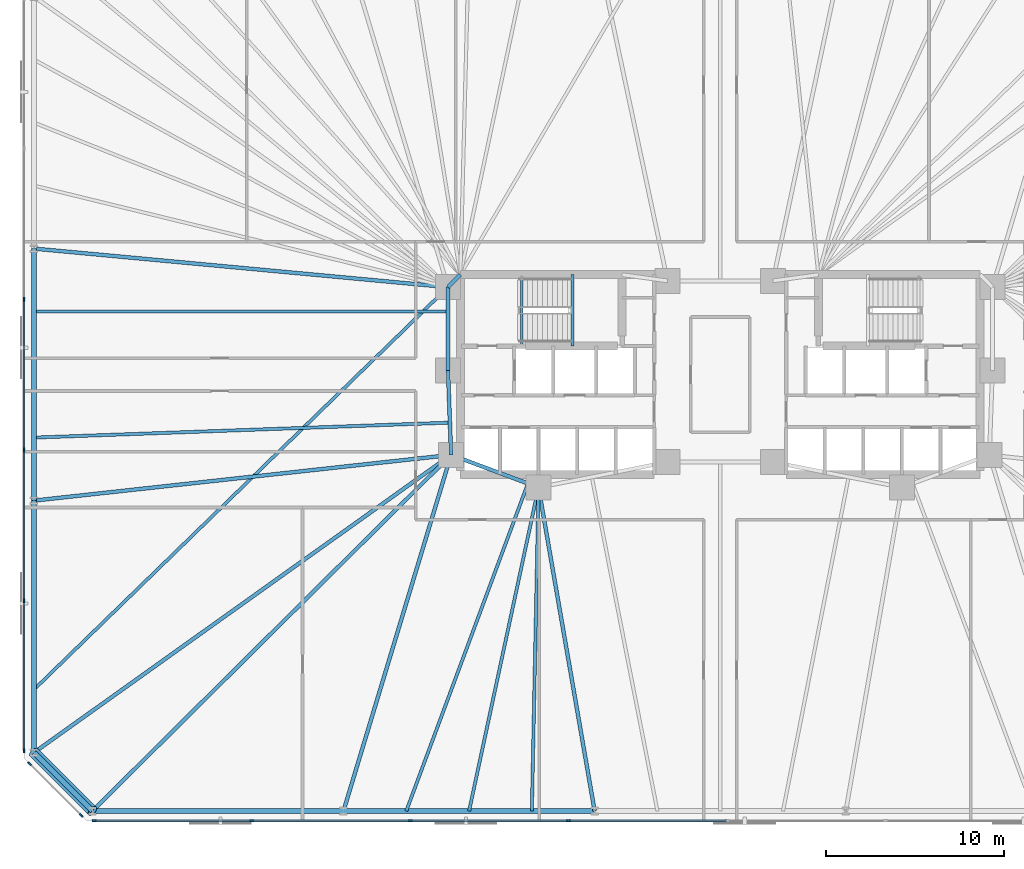
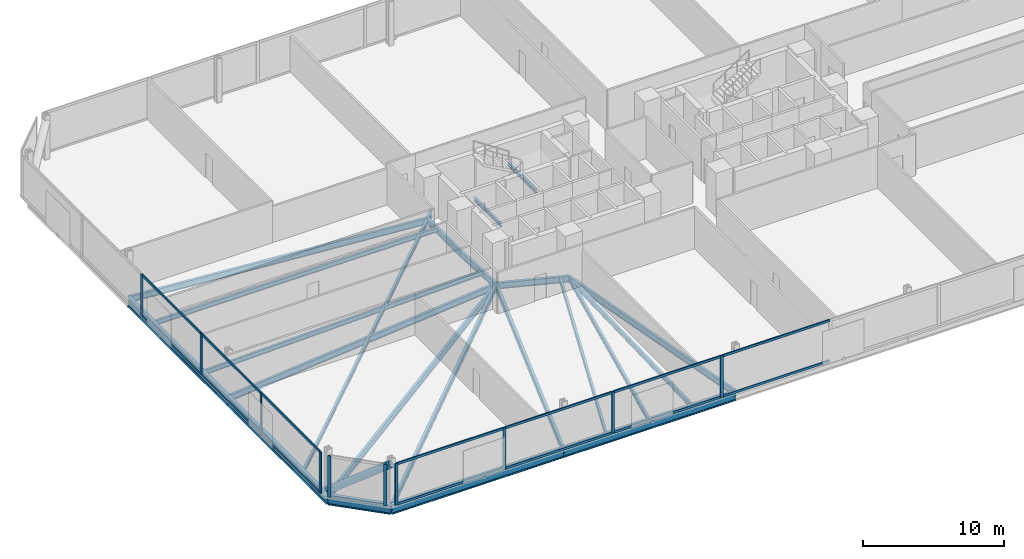
# One storey, part 6 of 17: 25 members, 23 beams, 3 elements without a shape of their own.
"""IFC4 building model written with IfcOpenShell, lengths in metres."""

from ifc_helpers import new_model, si_unit, direction, frame, origin, origin_2d, place, context, subcontext, project, spatial, rectangle, hollow_circle, i_section, extrude, material, material_profile, profile_set, type_object, element, aggregate, save


model = new_model("IFC4")

# Units and contexts
model_context = context("Model", 3, precision=1e-05, world=origin(), true_north=direction((0.0, 1.0)))
body_context = subcontext(model_context, "Body", "Model", "MODEL_VIEW")
ifc_project = project(units=[si_unit("LENGTHUNIT", "METRE"), si_unit("AREAUNIT", "SQUARE_METRE"), si_unit("VOLUMEUNIT", "CUBIC_METRE"), si_unit("PLANEANGLEUNIT", "RADIAN"), si_unit("MASSUNIT", "GRAM", prefix="KILO")], contexts=[model_context])

# Site, building, storey
site_placement = place(None, origin())
site = spatial("IfcSite", under=ifc_project, at=site_placement, CompositionType="ELEMENT")
building_placement = place(site_placement, origin())
building = spatial("IfcBuilding", under=site, at=building_placement, Name="Menara Jurai Vektor", CompositionType="ELEMENT")
storey_placement = place(building_placement, frame((0.0, 0.0, 44.60009765625)))
storey = spatial("IfcBuildingStorey", under=building, at=storey_placement, Name="L10", CompositionType="ELEMENT", Elevation=44.60009765625)

# Curtain wall, members
ifc_material_1 = material(Name="Anodised Pale Aluminium & Low-E Double Glazing", Category="aluminium")
curtain_wall_type = type_object("IfcCurtainWallType", Name="CW-BLK1", PredefinedType="NOTDEFINED", material=ifc_material_1)
curtain_wall_1_placement = place(storey_placement, origin())
curtain_wall_1 = element("IfcCurtainWall", 1, at=curtain_wall_1_placement, inside=storey, type_object=curtain_wall_type, Name="Unitised Curtain Wall L10 F07", PredefinedType="NOTDEFINED")
ifc_material_2 = material(Name="Anodised Pale Aluminium Mullion", Category="aluminium")
ifc_material_profile_1 = material_profile(ifc_material_2, rectangle(XDim=0.094970703125, YDim=0.239990234375, at=origin_2d()), Name="ALU MUL 95x240")
ifc_profile_set_1 = profile_set([ifc_material_profile_1], Name="Anodised Pale Aluminium Mullion")
member_type_1 = type_object("IfcMemberType", Name="CW-BLK1-MUL", PredefinedType="MULLION", material=ifc_profile_set_1)
member_1_placement = place(storey_placement, frame((-39.0, 4.22412109375, 0.0), z_axis=(0.0, 0.0, 1.0), x_axis=(1.0, 0.0, 0.0)))
member_1 = element("IfcMember", 2, at=member_1_placement, type_object=member_type_1, Name="CW-01 mullion 3", PredefinedType="MULLION", context=body_context, shape_type="SweptSolid", body=[
    extrude(rectangle(XDim=0.094970703125, YDim=0.239990234375, at=origin_2d()), origin(), (0.0, 0.0, 1.0), 3.574951171875),
])
member_2_placement = place(storey_placement, frame((-39.0, -4.22412109375, 0.0), z_axis=(0.0, 0.0, 1.0), x_axis=(1.0, 0.0, 0.0)))
member_2 = element("IfcMember", 3, at=member_2_placement, type_object=member_type_1, Name="CW-01 mullion 4", PredefinedType="MULLION", context=body_context, shape_type="SweptSolid", body=[
    extrude(rectangle(XDim=0.094970703125, YDim=0.239990234375, at=origin_2d()), origin(), (0.0, 0.0, 1.0), 3.574951171875),
])
member_3_placement = place(storey_placement, frame((-39.0, -12.672119140625, 0.0), z_axis=(0.0, 0.0, 1.0), x_axis=(1.0, 0.0, 0.0)))
member_3 = element("IfcMember", 4, at=member_3_placement, type_object=member_type_1, Name="CW-01 mullion 5", PredefinedType="MULLION", context=body_context, shape_type="SweptSolid", body=[
    extrude(rectangle(XDim=0.094970703125, YDim=0.239990234375, at=origin_2d()), origin(), (0.0, 0.0, 1.0), 3.574951171875),
])
member_4_placement = place(storey_placement, frame((-39.0, -21.072509765625, 0.0), z_axis=(0.0, 0.0, 1.0), x_axis=(1.0, 0.0, 0.0)))
member_4 = element("IfcMember", 5, at=member_4_placement, type_object=member_type_1, Name="CW-01 mullion 6", PredefinedType="MULLION", context=body_context, shape_type="SweptSolid", body=[
    extrude(rectangle(XDim=0.094970703125, YDim=0.239990234375, at=origin_2d()), origin(), (0.0, 0.0, 1.0), 3.574951171875),
])

curtain_wall_2_placement = place(storey_placement, origin())
curtain_wall_2 = element("IfcCurtainWall", 6, at=curtain_wall_2_placement, inside=storey, type_object=curtain_wall_type, Name="Unitised Curtain Wall L10 F08", PredefinedType="NOTDEFINED")
member_5_placement = place(storey_placement, frame((-38.69775390625, -21.80224609375, 0.0), z_axis=(0.0, 0.0, 1.0), x_axis=(0.707106781187, 0.707106781187, 0.0)))
member_5 = element("IfcMember", 7, at=member_5_placement, type_object=member_type_1, Name="CW-01 mullion 1", PredefinedType="MULLION", context=body_context, shape_type="SweptSolid", body=[
    extrude(rectangle(XDim=0.094970703125, YDim=0.239990234375, at=origin_2d()), origin(), (0.0, 0.0, 1.0), 3.574951171875),
])
member_6_placement = place(storey_placement, frame((-35.80224609375, -24.69775390625, 0.0), z_axis=(0.0, 0.0, 1.0), x_axis=(0.707106781187, 0.707106781187, 0.0)))
member_6 = element("IfcMember", 8, at=member_6_placement, type_object=member_type_1, Name="CW-01 mullion 2", PredefinedType="MULLION", context=body_context, shape_type="SweptSolid", body=[
    extrude(rectangle(XDim=0.094970703125, YDim=0.239990234375, at=origin_2d()), origin(), (0.0, 0.0, 1.0), 3.574951171875),
])
aggregate(curtain_wall_2, [member_5, member_6])

curtain_wall_3_placement = place(storey_placement, origin())
curtain_wall_3 = element("IfcCurtainWall", 9, at=curtain_wall_3_placement, inside=storey, type_object=curtain_wall_type, Name="Unitised Curtain Wall L10 F09", PredefinedType="NOTDEFINED")
member_7_placement = place(storey_placement, frame((-35.072509765625, -25.0, 0.0), z_axis=(0.0, 0.0, 1.0), x_axis=(0.0, 1.0, 0.0)))
member_7 = element("IfcMember", 10, at=member_7_placement, type_object=member_type_1, Name="CW-01 mullion 1", PredefinedType="MULLION", context=body_context, shape_type="SweptSolid", body=[
    extrude(rectangle(XDim=0.094970703125, YDim=0.239990234375, at=origin_2d()), origin(), (0.0, 0.0, 1.0), 3.574951171875),
])
member_8_placement = place(storey_placement, frame((-26.24560546875, -25.0, 0.0), z_axis=(0.0, 0.0, 1.0), x_axis=(0.0, 1.0, 0.0)))
member_8 = element("IfcMember", 11, at=member_8_placement, type_object=member_type_1, Name="CW-01 mullion 2", PredefinedType="MULLION", context=body_context, shape_type="SweptSolid", body=[
    extrude(rectangle(XDim=0.094970703125, YDim=0.239990234375, at=origin_2d()), origin(), (0.0, 0.0, 1.0), 3.574951171875),
])
member_9_placement = place(storey_placement, frame((-17.371337890625, -25.0, 0.0), z_axis=(0.0, 0.0, 1.0), x_axis=(0.0, 1.0, 0.0)))
member_9 = element("IfcMember", 12, at=member_9_placement, type_object=member_type_1, Name="CW-01 mullion 3", PredefinedType="MULLION", context=body_context, shape_type="SweptSolid", body=[
    extrude(rectangle(XDim=0.094970703125, YDim=0.239990234375, at=origin_2d()), origin(), (0.0, 0.0, 1.0), 3.574951171875),
])
member_10_placement = place(storey_placement, frame((-8.4970703125, -25.0, 0.0), z_axis=(0.0, 0.0, 1.0), x_axis=(0.0, 1.0, 0.0)))
member_10 = element("IfcMember", 13, at=member_10_placement, type_object=member_type_1, Name="CW-01 mullion 4", PredefinedType="MULLION", context=body_context, shape_type="SweptSolid", body=[
    extrude(rectangle(XDim=0.094970703125, YDim=0.239990234375, at=origin_2d()), origin(), (0.0, 0.0, 1.0), 3.574951171875),
])

# Member
ifc_material_3 = material(Name="Anodised Pale Aluminium Transom", Category="aluminium")
ifc_material_profile_2 = material_profile(ifc_material_3, rectangle(XDim=0.094970703125, YDim=0.199951171875, at=origin_2d()), Name="ALU TRN 95x200")
ifc_profile_set_2 = profile_set([ifc_material_profile_2], Name="Anodised Pale Aluminium Transom")
member_type_2 = type_object("IfcMemberType", Name="CW-BLK1-TRN", PredefinedType="USERDEFINED", material=ifc_profile_set_2)
member_11_placement = place(storey_placement, frame((-39.0, 4.176513671875, 0.04736328125), z_axis=(0.0, -1.0, 0.0), x_axis=(1.0, 0.0, 0.0)))
member_11 = element("IfcMember", 14, at=member_11_placement, type_object=member_type_2, Name="CW-01 transom 3.1", ObjectType="TRANSOM", PredefinedType="USERDEFINED", context=body_context, shape_type="SweptSolid", body=[
    extrude(rectangle(XDim=0.094970703125, YDim=0.199951171875, at=origin_2d()), origin(), (0.0, 0.0, 1.0), 8.35302734375),
])

member_12_placement = place(storey_placement, frame((-39.0, 4.176513671875, 3.52734375), z_axis=(0.0, -1.0, 0.0), x_axis=(1.0, 0.0, 0.0)))
member_12 = element("IfcMember", 15, at=member_12_placement, type_object=member_type_2, Name="CW-01 transom 3.2", ObjectType="TRANSOM", PredefinedType="USERDEFINED", context=body_context, shape_type="SweptSolid", body=[
    extrude(rectangle(XDim=0.094970703125, YDim=0.199951171875, at=origin_2d()), origin(), (0.0, 0.0, 1.0), 8.35302734375),
])

member_13_placement = place(storey_placement, frame((-39.0, -4.271484375, 0.04736328125), z_axis=(0.0, -1.0, 0.0), x_axis=(1.0, 0.0, 0.0)))
member_13 = element("IfcMember", 16, at=member_13_placement, type_object=member_type_2, Name="CW-01 transom 4.1", ObjectType="TRANSOM", PredefinedType="USERDEFINED", context=body_context, shape_type="SweptSolid", body=[
    extrude(rectangle(XDim=0.094970703125, YDim=0.199951171875, at=origin_2d()), origin(), (0.0, 0.0, 1.0), 8.35302734375),
])

member_14_placement = place(storey_placement, frame((-39.0, -4.271484375, 3.52734375), z_axis=(0.0, -1.0, 0.0), x_axis=(1.0, 0.0, 0.0)))
member_14 = element("IfcMember", 17, at=member_14_placement, type_object=member_type_2, Name="CW-01 transom 4.2", ObjectType="TRANSOM", PredefinedType="USERDEFINED", context=body_context, shape_type="SweptSolid", body=[
    extrude(rectangle(XDim=0.094970703125, YDim=0.199951171875, at=origin_2d()), origin(), (0.0, 0.0, 1.0), 8.35302734375),
])

member_15_placement = place(storey_placement, frame((-39.0, -12.719482421875, 0.04736328125), z_axis=(0.0, -1.0, 0.0), x_axis=(1.0, 0.0, 0.0)))
member_15 = element("IfcMember", 18, at=member_15_placement, type_object=member_type_2, Name="CW-01 transom 5.1", ObjectType="TRANSOM", PredefinedType="USERDEFINED", context=body_context, shape_type="SweptSolid", body=[
    extrude(rectangle(XDim=0.094970703125, YDim=0.199951171875, at=origin_2d()), origin(), (0.0, 0.0, 1.0), 8.305419921875),
])

member_16_placement = place(storey_placement, frame((-39.0, -12.719482421875, 3.52734375), z_axis=(0.0, -1.0, 0.0), x_axis=(1.0, 0.0, 0.0)))
member_16 = element("IfcMember", 19, at=member_16_placement, type_object=member_type_2, Name="CW-01 transom 5.2", ObjectType="TRANSOM", PredefinedType="USERDEFINED", context=body_context, shape_type="SweptSolid", body=[
    extrude(rectangle(XDim=0.094970703125, YDim=0.199951171875, at=origin_2d()), origin(), (0.0, 0.0, 1.0), 8.305419921875),
])

aggregate(curtain_wall_1, [member_1, member_2, member_3, member_4, member_11, member_12, member_13, member_14, member_15, member_16])

member_17_placement = place(storey_placement, frame((-35.02490234375, -25.0, 0.04736328125), z_axis=(1.0, 0.0, 0.0), x_axis=(0.0, 1.0, 0.0)))
member_17 = element("IfcMember", 20, at=member_17_placement, type_object=member_type_2, Name="CW-01 transom 1.1", ObjectType="TRANSOM", PredefinedType="USERDEFINED", context=body_context, shape_type="SweptSolid", body=[
    extrude(rectangle(XDim=0.094970703125, YDim=0.199951171875, at=origin_2d()), origin(), (0.0, 0.0, 1.0), 8.731689453125),
])

member_18_placement = place(storey_placement, frame((-35.02490234375, -25.0, 3.52734375), z_axis=(1.0, 0.0, 0.0), x_axis=(0.0, 1.0, 0.0)))
member_18 = element("IfcMember", 21, at=member_18_placement, type_object=member_type_2, Name="CW-01 transom 1.2", ObjectType="TRANSOM", PredefinedType="USERDEFINED", context=body_context, shape_type="SweptSolid", body=[
    extrude(rectangle(XDim=0.094970703125, YDim=0.199951171875, at=origin_2d()), origin(), (0.0, 0.0, 1.0), 8.731689453125),
])

member_19_placement = place(storey_placement, frame((-26.1982421875, -25.0, 0.04736328125), z_axis=(1.0, 0.0, 0.0), x_axis=(0.0, 1.0, 0.0)))
member_19 = element("IfcMember", 22, at=member_19_placement, type_object=member_type_2, Name="CW-01 transom 2.1", ObjectType="TRANSOM", PredefinedType="USERDEFINED", context=body_context, shape_type="SweptSolid", body=[
    extrude(rectangle(XDim=0.094970703125, YDim=0.199951171875, at=origin_2d()), origin(), (0.0, 0.0, 1.0), 8.779296875),
])

member_20_placement = place(storey_placement, frame((-26.1982421875, -25.0, 3.52734375), z_axis=(1.0, 0.0, 0.0), x_axis=(0.0, 1.0, 0.0)))
member_20 = element("IfcMember", 23, at=member_20_placement, type_object=member_type_2, Name="CW-01 transom 2.2", ObjectType="TRANSOM", PredefinedType="USERDEFINED", context=body_context, shape_type="SweptSolid", body=[
    extrude(rectangle(XDim=0.094970703125, YDim=0.199951171875, at=origin_2d()), origin(), (0.0, 0.0, 1.0), 8.779296875),
])

member_21_placement = place(storey_placement, frame((-17.323974609375, -25.0, 0.04736328125), z_axis=(1.0, 0.0, 0.0), x_axis=(0.0, 1.0, 0.0)))
member_21 = element("IfcMember", 24, at=member_21_placement, type_object=member_type_2, Name="CW-01 transom 3.1", ObjectType="TRANSOM", PredefinedType="USERDEFINED", context=body_context, shape_type="SweptSolid", body=[
    extrude(rectangle(XDim=0.094970703125, YDim=0.199951171875, at=origin_2d()), origin(), (0.0, 0.0, 1.0), 8.779296875),
])

member_22_placement = place(storey_placement, frame((-17.323974609375, -25.0, 3.52734375), z_axis=(1.0, 0.0, 0.0), x_axis=(0.0, 1.0, 0.0)))
member_22 = element("IfcMember", 25, at=member_22_placement, type_object=member_type_2, Name="CW-01 transom 3.2", ObjectType="TRANSOM", PredefinedType="USERDEFINED", context=body_context, shape_type="SweptSolid", body=[
    extrude(rectangle(XDim=0.094970703125, YDim=0.199951171875, at=origin_2d()), origin(), (0.0, 0.0, 1.0), 8.779296875),
])

member_23_placement = place(storey_placement, frame((-8.44970703125, -25.0, 0.04736328125), z_axis=(1.0, 0.0, 0.0), x_axis=(0.0, 1.0, 0.0)))
member_23 = element("IfcMember", 26, at=member_23_placement, type_object=member_type_2, Name="CW-01 transom 4.1", ObjectType="TRANSOM", PredefinedType="USERDEFINED", context=body_context, shape_type="SweptSolid", body=[
    extrude(rectangle(XDim=0.094970703125, YDim=0.199951171875, at=origin_2d()), origin(), (0.0, 0.0, 1.0), 8.779296875),
])

member_24_placement = place(storey_placement, frame((-8.44970703125, -25.0, 3.52734375), z_axis=(1.0, 0.0, 0.0), x_axis=(0.0, 1.0, 0.0)))
member_24 = element("IfcMember", 27, at=member_24_placement, type_object=member_type_2, Name="CW-01 transom 4.2", ObjectType="TRANSOM", PredefinedType="USERDEFINED", context=body_context, shape_type="SweptSolid", body=[
    extrude(rectangle(XDim=0.094970703125, YDim=0.199951171875, at=origin_2d()), origin(), (0.0, 0.0, 1.0), 8.779296875),
])

aggregate(curtain_wall_3, [member_7, member_8, member_9, member_10, member_17, member_18, member_19, member_20, member_21, member_22, member_23, member_24])

# Beams
ifc_material_4 = material(Name="Steel S355", Category="steel")
ifc_material_profile_3 = material_profile(ifc_material_4, i_section(OverallWidth=0.2109375, OverallDepth=0.5390625, WebThickness=0.011962890625, FlangeThickness=0.01904296875, FilletRadius=0.012939453125, at=origin_2d()), Name="UKB 533x210x109")
ifc_profile_set_3 = profile_set([ifc_material_profile_3], Name="Steel S355")
beam_type_1 = type_object("IfcBeamType", Name="STR-BM-533", PredefinedType="BEAM", material=ifc_profile_set_3)
beam_1_placement = place(storey_placement, frame((-15.25, 4.89990234375, -0.49462890625), z_axis=(0.701871936926, 0.712303154672, 0.0), x_axis=(-0.712303154672, 0.701871936926, 0.0)))
element("IfcBeam", 28, at=beam_1_placement, inside=storey, type_object=beam_type_1, Name="Core Ring Header Girder L10-CHW-N1", PredefinedType="BEAM", context=body_context, shape_type="SweptSolid", body=[
    extrude(i_section(OverallWidth=0.2109375, OverallDepth=0.5390625, WebThickness=0.011962890625, FlangeThickness=0.01904296875, FilletRadius=0.012939453125, at=origin_2d()), origin(), (0.0, 0.0, 1.0), 0.98291015625),
])
beam_2_placement = place(storey_placement, frame((-15.25, 0.219970703125, -0.49462890625), z_axis=(0.0, 1.0, 0.0), x_axis=(-1.0, 0.0, 0.0)))
element("IfcBeam", 29, at=beam_2_placement, inside=storey, type_object=beam_type_1, Name="Core Ring Header Girder L10-CHW-W1", PredefinedType="BEAM", context=body_context, shape_type="SweptSolid", body=[
    extrude(i_section(OverallWidth=0.2109375, OverallDepth=0.5390625, WebThickness=0.011962890625, FlangeThickness=0.01904296875, FilletRadius=0.012939453125, at=origin_2d()), origin(), (0.0, 0.0, 1.0), 4.679931640625),
])
beam_3_placement = place(storey_placement, frame((-15.080078125, -4.5, -0.49462890625), z_axis=(-0.035977314146, 0.999352606874, 0.0), x_axis=(-0.999352606874, -0.035977314146, 0.0)))
element("IfcBeam", 30, at=beam_3_placement, inside=storey, type_object=beam_type_1, Name="Core Ring Header Girder L10-CHW-W2", PredefinedType="BEAM", context=body_context, shape_type="SweptSolid", body=[
    extrude(i_section(OverallWidth=0.2109375, OverallDepth=0.5390625, WebThickness=0.011962890625, FlangeThickness=0.01904296875, FilletRadius=0.012939453125, at=origin_2d()), origin(), (0.0, 0.0, 1.0), 4.72314453125),
])
beam_4_placement = place(storey_placement, frame((-15.080078125, -4.5, -0.49462890625), z_axis=(0.937424400887, -0.348188874925, 0.0), x_axis=(0.348188874925, 0.937424400887, 0.0)))
element("IfcBeam", 31, at=beam_4_placement, inside=storey, type_object=beam_type_1, Name="Core Ring Header Girder L10-CHW-S1", PredefinedType="BEAM", context=body_context, shape_type="SweptSolid", body=[
    extrude(i_section(OverallWidth=0.2109375, OverallDepth=0.5390625, WebThickness=0.011962890625, FlangeThickness=0.01904296875, FilletRadius=0.012939453125, at=origin_2d()), origin(), (0.0, 0.0, 1.0), 5.227294921875),
])
beam_5_placement = place(storey_placement, frame((-35.177734375, -24.449951171875, -0.49462890625), z_axis=(0.709709931659, 0.704494011972, 0.0), x_axis=(-0.704494011972, 0.709709931659, 0.0)))
element("IfcBeam", 32, at=beam_5_placement, inside=storey, type_object=beam_type_1, Name="Radial Floor Girder L10-S1", PredefinedType="BEAM", context=body_context, shape_type="SweptSolid", body=[
    extrude(i_section(OverallWidth=0.2109375, OverallDepth=0.5390625, WebThickness=0.011962890625, FlangeThickness=0.01904296875, FilletRadius=0.012939453125, at=origin_2d()), origin(), (0.0, 0.0, 1.0), 28.318115234375),
])
beam_6_placement = place(storey_placement, frame((-21.106689453125, -24.449951171875, -0.49462890625), z_axis=(0.289179812203, 0.957274796604, 0.0), x_axis=(-0.957274796604, 0.289179812203, 0.0)))
element("IfcBeam", 33, at=beam_6_placement, inside=storey, type_object=beam_type_1, Name="Radial Floor Girder L10-S2", PredefinedType="BEAM", context=body_context, shape_type="SweptSolid", body=[
    extrude(i_section(OverallWidth=0.2109375, OverallDepth=0.5390625, WebThickness=0.011962890625, FlangeThickness=0.01904296875, FilletRadius=0.012939453125, at=origin_2d()), origin(), (0.0, 0.0, 1.0), 20.84033203125),
])
beam_7_placement = place(storey_placement, frame((-7.03564453125, -24.449951171875, -0.49462890625), z_axis=(-0.170880325642, 0.985291791455, 0.0), x_axis=(-0.985291791455, -0.170880325642, 0.0)))
element("IfcBeam", 34, at=beam_7_placement, inside=storey, type_object=beam_type_1, Name="Radial Floor Girder L10-S3", PredefinedType="BEAM", context=body_context, shape_type="SweptSolid", body=[
    extrude(i_section(OverallWidth=0.2109375, OverallDepth=0.5390625, WebThickness=0.011962890625, FlangeThickness=0.01904296875, FilletRadius=0.012939453125, at=origin_2d()), origin(), (0.0, 0.0, 1.0), 18.400634765625),
])
beam_8_placement = place(storey_placement, frame((-38.449951171875, 7.059326171875, -0.49462890625), z_axis=(0.995696113112, -0.092678208514, 0.0), x_axis=(0.092678208514, 0.995696113112, 0.0)))
element("IfcBeam", 35, at=beam_8_placement, inside=storey, type_object=beam_type_1, Name="Radial Floor Girder L10-W2", PredefinedType="BEAM", context=body_context, shape_type="SweptSolid", body=[
    extrude(i_section(OverallWidth=0.2109375, OverallDepth=0.5390625, WebThickness=0.011962890625, FlangeThickness=0.01904296875, FilletRadius=0.012939453125, at=origin_2d()), origin(), (0.0, 0.0, 1.0), 23.30029296875),
])
beam_9_placement = place(storey_placement, frame((-38.449951171875, -7.059326171875, -0.49462890625), z_axis=(0.994056757953, 0.108863042253, 0.0), x_axis=(-0.108863042253, 0.994056757953, 0.0)))
element("IfcBeam", 36, at=beam_9_placement, inside=storey, type_object=beam_type_1, Name="Radial Floor Girder L10-W3", PredefinedType="BEAM", context=body_context, shape_type="SweptSolid", body=[
    extrude(i_section(OverallWidth=0.2109375, OverallDepth=0.5390625, WebThickness=0.011962890625, FlangeThickness=0.01904296875, FilletRadius=0.012939453125, at=origin_2d()), origin(), (0.0, 0.0, 1.0), 23.509521484375),
])
beam_10_placement = place(storey_placement, frame((-38.449951171875, -21.177734375, -0.49462890625), z_axis=(0.813981033216, 0.580891450759, 0.0), x_axis=(-0.580891450759, 0.813981033216, 0.0)))
element("IfcBeam", 37, at=beam_10_placement, inside=storey, type_object=beam_type_1, Name="Radial Floor Girder L10-W4", PredefinedType="BEAM", context=body_context, shape_type="SweptSolid", body=[
    extrude(i_section(OverallWidth=0.2109375, OverallDepth=0.5390625, WebThickness=0.011962890625, FlangeThickness=0.01904296875, FilletRadius=0.012939453125, at=origin_2d()), origin(), (0.0, 0.0, 1.0), 28.710693359375),
])

# Member
ifc_material_5 = material(Name="Steel S460", Category="steel")
ifc_material_profile_4 = material_profile(ifc_material_5, hollow_circle(Radius=0.304931640625, WallThickness=0.02490234375, at=origin_2d()), Name="CHS 610x25")
ifc_profile_set_4 = profile_set([ifc_material_profile_4], Name="Steel S460")
member_type_3 = type_object("IfcMemberType", Name="STR-BR-610", PredefinedType="BRACE", material=ifc_profile_set_4)
member_25_placement = place(storey_placement, frame((-38.449951171875, -21.177734375, 0.14990234375), z_axis=(0.588942422958, -0.588942422958, 0.553438022619), x_axis=(0.707106781187, 0.707106781187, 0.0)))
element("IfcMember", 38, at=member_25_placement, inside=storey, type_object=member_type_3, Name="Exoskeleton Corner Brace L10-4", PredefinedType="BRACE", context=body_context, shape_type="SweptSolid", body=[
    extrude(hollow_circle(Radius=0.304931640625, WallThickness=0.02490234375, at=origin_2d()), origin(), (0.0, 0.0, 1.0), 5.55615234375),
])

# Beams
ifc_material_profile_5 = material_profile(ifc_material_4, i_section(OverallWidth=0.178955078125, OverallDepth=0.408935546875, WebThickness=0.009033203125, FlangeThickness=0.013916015625, FilletRadius=0.010009765625, at=origin_2d()), Name="UKB 406x178x67")
ifc_profile_set_5 = profile_set([ifc_material_profile_5], Name="Steel S355")
beam_type_2 = type_object("IfcBeamType", Name="STR-JS-406", PredefinedType="JOIST", material=ifc_profile_set_5)
beam_11_placement = place(storey_placement, frame((-17.5888671875, -24.449951171875, -0.4296875), z_axis=(0.348179014223, 0.937428063403, 0.0), x_axis=(-0.937428063403, 0.348179014223, 0.0)))
element("IfcBeam", 39, at=beam_11_placement, inside=storey, type_object=beam_type_2, Name="Radial Secondary Floor Joist L10-JS01", PredefinedType="JOIST", context=body_context, shape_type="SweptSolid", body=[
    extrude(i_section(OverallWidth=0.178955078125, OverallDepth=0.408935546875, WebThickness=0.009033203125, FlangeThickness=0.013916015625, FilletRadius=0.010009765625, at=origin_2d()), origin(), (0.0, 0.0, 1.0), 19.5751953125),
])
beam_12_placement = place(storey_placement, frame((-14.071044921875, -24.449951171875, -0.4296875), z_axis=(0.209845584412, 0.977734539997, 0.0), x_axis=(-0.977734539997, 0.209845584412, 0.0)))
element("IfcBeam", 40, at=beam_12_placement, inside=storey, type_object=beam_type_2, Name="Radial Secondary Floor Joist L10-JS02", PredefinedType="JOIST", context=body_context, shape_type="SweptSolid", body=[
    extrude(i_section(OverallWidth=0.178955078125, OverallDepth=0.408935546875, WebThickness=0.009033203125, FlangeThickness=0.013916015625, FilletRadius=0.010009765625, at=origin_2d()), origin(), (0.0, 0.0, 1.0), 18.542724609375),
])
beam_13_placement = place(storey_placement, frame((-10.55322265625, -24.449951171875, -0.4296875), z_axis=(0.020585456509, 0.999788097039, 0.0), x_axis=(-0.999788097039, 0.020585456509, 0.0)))
element("IfcBeam", 41, at=beam_13_placement, inside=storey, type_object=beam_type_2, Name="Radial Secondary Floor Joist L10-JS03", PredefinedType="JOIST", context=body_context, shape_type="SweptSolid", body=[
    extrude(i_section(OverallWidth=0.178955078125, OverallDepth=0.408935546875, WebThickness=0.009033203125, FlangeThickness=0.013916015625, FilletRadius=0.010009765625, at=origin_2d()), origin(), (0.0, 0.0, 1.0), 18.1337890625),
])
beam_14_placement = place(storey_placement, frame((-38.449951171875, 3.529541015625, -0.4296875), z_axis=(1.0, 0.0, 0.0), x_axis=(0.0, 1.0, 0.0)))
element("IfcBeam", 42, at=beam_14_placement, inside=storey, type_object=beam_type_2, Name="Radial Secondary Floor Joist L10-JS35", PredefinedType="JOIST", context=body_context, shape_type="SweptSolid", body=[
    extrude(i_section(OverallWidth=0.178955078125, OverallDepth=0.408935546875, WebThickness=0.009033203125, FlangeThickness=0.013916015625, FilletRadius=0.010009765625, at=origin_2d()), origin(), (0.0, 0.0, 1.0), 23.199951171875),
])
beam_15_placement = place(storey_placement, frame((-38.449951171875, -3.529541015625, -0.4296875), z_axis=(0.999352032814, 0.035993256462, 0.0), x_axis=(-0.035993256462, 0.999352032814, 0.0)))
element("IfcBeam", 43, at=beam_15_placement, inside=storey, type_object=beam_type_2, Name="Radial Secondary Floor Joist L10-JS36", PredefinedType="JOIST", context=body_context, shape_type="SweptSolid", body=[
    extrude(i_section(OverallWidth=0.178955078125, OverallDepth=0.408935546875, WebThickness=0.009033203125, FlangeThickness=0.013916015625, FilletRadius=0.010009765625, at=origin_2d()), origin(), (0.0, 0.0, 1.0), 23.31982421875),
])
beam_16_placement = place(storey_placement, frame((-38.449951171875, -17.648193359375, -0.4296875), z_axis=(0.71710942187, 0.696960599363, 0.0), x_axis=(-0.696960599363, 0.71710942187, 0.0)))
element("IfcBeam", 44, at=beam_16_placement, inside=storey, type_object=beam_type_2, Name="Radial Secondary Floor Joist L10-JS37", PredefinedType="JOIST", context=body_context, shape_type="SweptSolid", body=[
    extrude(i_section(OverallWidth=0.178955078125, OverallDepth=0.408935546875, WebThickness=0.009033203125, FlangeThickness=0.013916015625, FilletRadius=0.010009765625, at=origin_2d()), origin(), (0.0, 0.0, 1.0), 32.35205078125),
])
ifc_material_profile_6 = material_profile(ifc_material_4, i_section(OverallWidth=0.1650390625, OverallDepth=0.302978515625, WebThickness=0.006103515625, FlangeThickness=0.010009765625, FilletRadius=0.009033203125, at=origin_2d()), Name="UKB 305x165x40")
ifc_profile_set_6 = profile_set([ifc_material_profile_6], Name="Steel S355")
beam_type_3 = type_object("IfcBeamType", Name="STR-LN-305", PredefinedType="LINTEL", material=ifc_profile_set_6)
beam_17_placement = place(storey_placement, frame((-11.1201171875, 1.60009765625, -0.376708984375), z_axis=(0.0, 1.0, 0.0), x_axis=(-1.0, 0.0, 0.0)))
element("IfcBeam", 45, at=beam_17_placement, inside=storey, type_object=beam_type_3, Name="Stair Well Floor Trimmer ST1 L10", PredefinedType="LINTEL", context=body_context, shape_type="SweptSolid", body=[
    extrude(i_section(OverallWidth=0.1650390625, OverallDepth=0.302978515625, WebThickness=0.006103515625, FlangeThickness=0.010009765625, FilletRadius=0.009033203125, at=origin_2d()), origin(), (0.0, 0.0, 1.0), 3.81982421875),
])
beam_18_placement = place(storey_placement, frame((-8.27001953125, 1.60009765625, 1.54833984375), z_axis=(0.0, 1.0, 0.0), x_axis=(-1.0, 0.0, 0.0)))
element("IfcBeam", 46, at=beam_18_placement, inside=storey, type_object=beam_type_3, Name="Stair Half-Landing Nosing Trimmer ST1-1 L10", PredefinedType="LINTEL", context=body_context, shape_type="SweptSolid", body=[
    extrude(i_section(OverallWidth=0.1650390625, OverallDepth=0.302978515625, WebThickness=0.006103515625, FlangeThickness=0.010009765625, FilletRadius=0.009033203125, at=origin_2d()), origin(), (0.0, 0.0, 1.0), 4.0),
])
ifc_material_profile_7 = material_profile(ifc_material_5, i_section(OverallWidth=0.2939453125, OverallDepth=0.85107421875, WebThickness=0.01611328125, FlangeThickness=0.027099609375, FilletRadius=0.01806640625, at=origin_2d()), Name="UKB 838x292x226")
ifc_profile_set_7 = profile_set([ifc_material_profile_7], Name="Steel S460")
beam_type_4 = type_object("IfcBeamType", Name="STR-SP-838", PredefinedType="SPANDREL", material=ifc_profile_set_7)
for number, where, z_axis, x_axis, name in (
    (47, (-35.177734375, -24.449951171875, -0.650634765625), (1.0, 0.0, 0.0), (0.0, 1.0, 0.0), "Exoskeleton Spandrel Beam L10-01"),
    (48, (-21.106689453125, -24.449951171875, -0.650634765625), (1.0, 0.0, 0.0), (0.0, 1.0, 0.0), "Exoskeleton Spandrel Beam L10-02"),
):
    element("IfcBeam", number, at=place(storey_placement, frame(where, z_axis=z_axis, x_axis=x_axis)), inside=storey, type_object=beam_type_4, Name=name, PredefinedType="SPANDREL", context=body_context, shape_type="SweptSolid", body=[
        extrude(i_section(OverallWidth=0.2939453125, OverallDepth=0.85107421875, WebThickness=0.01611328125, FlangeThickness=0.027099609375, FilletRadius=0.01806640625, at=origin_2d()), origin(), (0.0, 0.0, 1.0), 14.071044921875),
    ])
beam_19_placement = place(storey_placement, frame((-38.449951171875, 7.059326171875, -0.650634765625), z_axis=(0.0, -1.0, 0.0), x_axis=(1.0, 0.0, 0.0)))
element("IfcBeam", 49, at=beam_19_placement, inside=storey, type_object=beam_type_4, Name="Exoskeleton Spandrel Beam L10-18", PredefinedType="SPANDREL", context=body_context, shape_type="SweptSolid", body=[
    extrude(i_section(OverallWidth=0.2939453125, OverallDepth=0.85107421875, WebThickness=0.01611328125, FlangeThickness=0.027099609375, FilletRadius=0.01806640625, at=origin_2d()), origin(), (0.0, 0.0, 1.0), 14.11865234375),
])
beam_20_placement = place(storey_placement, frame((-38.449951171875, -7.059326171875, -0.650634765625), z_axis=(0.0, -1.0, 0.0), x_axis=(1.0, 0.0, 0.0)))
element("IfcBeam", 50, at=beam_20_placement, inside=storey, type_object=beam_type_4, Name="Exoskeleton Spandrel Beam L10-19", PredefinedType="SPANDREL", context=body_context, shape_type="SweptSolid", body=[
    extrude(i_section(OverallWidth=0.2939453125, OverallDepth=0.85107421875, WebThickness=0.01611328125, FlangeThickness=0.027099609375, FilletRadius=0.01806640625, at=origin_2d()), origin(), (0.0, 0.0, 1.0), 14.118408203125),
])
beam_21_placement = place(storey_placement, frame((-38.449951171875, -21.177734375, -0.650634765625), z_axis=(0.707106781187, -0.707106781187, 0.0), x_axis=(0.707106781187, 0.707106781187, 0.0)))
element("IfcBeam", 51, at=beam_21_placement, inside=storey, type_object=beam_type_4, Name="Exoskeleton Spandrel Beam L10-20", PredefinedType="SPANDREL", context=body_context, shape_type="SweptSolid", body=[
    extrude(i_section(OverallWidth=0.2939453125, OverallDepth=0.85107421875, WebThickness=0.01611328125, FlangeThickness=0.027099609375, FilletRadius=0.01806640625, at=origin_2d()), origin(), (0.0, 0.0, 1.0), 4.627685546875),
])

save(model, "model.ifc")
